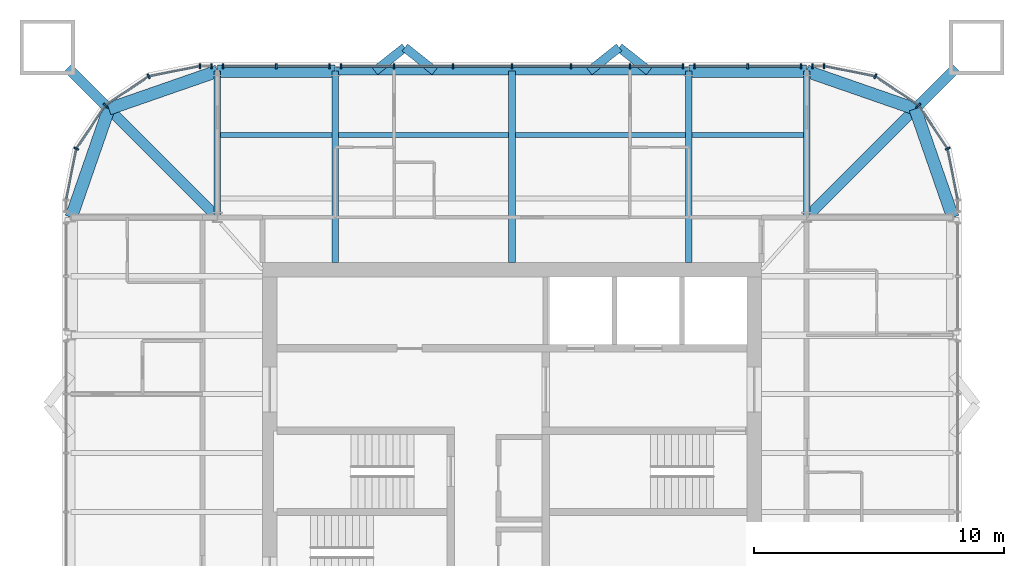
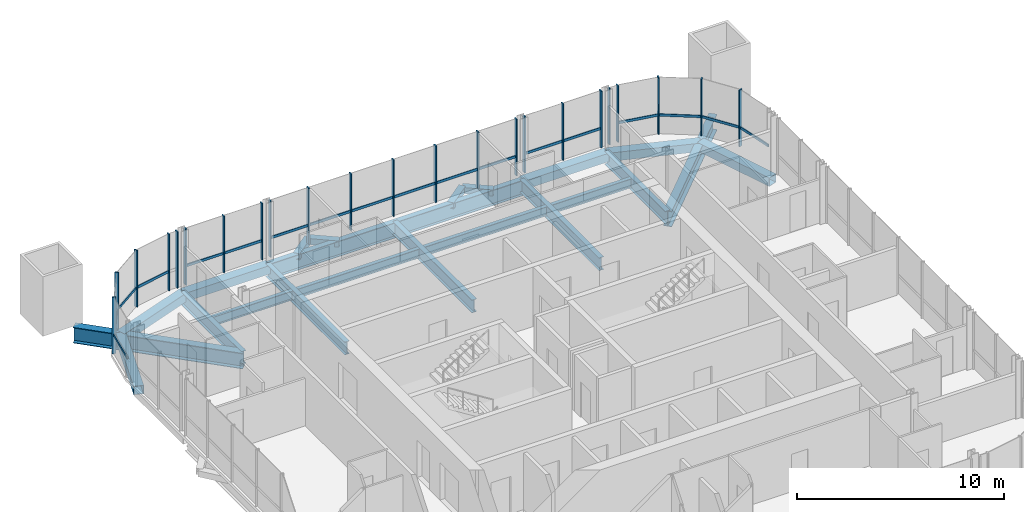
# One storey, part 6 of 17: 41 members, 22 beams, 7 elements without a shape of their own.
"""IFC4 building model written with IfcOpenShell, lengths in metres."""

from ifc_helpers import new_model, si_unit, direction, frame, origin, origin_2d, place, context, subcontext, project, spatial, rectangle, hollow_rectangle, i_section, extrude, material, material_profile, profile_set, type_object, element, aggregate, save


model = new_model("IFC4")

# Units and contexts
model_context = context("Model", 3, precision=1e-05, world=origin(), true_north=direction((0.0, 1.0)))
body_context = subcontext(model_context, "Body", "Model", "MODEL_VIEW")
ifc_project = project(units=[si_unit("LENGTHUNIT", "METRE"), si_unit("AREAUNIT", "SQUARE_METRE"), si_unit("VOLUMEUNIT", "CUBIC_METRE"), si_unit("PLANEANGLEUNIT", "RADIAN"), si_unit("MASSUNIT", "GRAM", prefix="KILO")], contexts=[model_context])

# Site, building, storey
site_placement = place(None, origin())
site = spatial("IfcSite", under=ifc_project, at=site_placement, CompositionType="ELEMENT")
building_placement = place(site_placement, origin())
building = spatial("IfcBuilding", under=site, at=building_placement, Name="Turquesa Mirador Hotel Tower", CompositionType="ELEMENT")
storey_placement = place(building_placement, frame((0.0, 0.0, 244.199951171875)))
storey = spatial("IfcBuildingStorey", under=building, at=storey_placement, Name="L66", CompositionType="ELEMENT", Elevation=244.199951171875)

# Beams
ifc_material_1 = material(Name="Steel ASTM A572 Grade 50", Category="steel")
ifc_material_profile_1 = material_profile(ifc_material_1, hollow_rectangle(XDim=0.5, YDim=0.5, WallThickness=0.01611328125, at=origin_2d()), Name="BOX500X500X16")
ifc_profile_set_1 = profile_set([ifc_material_profile_1], Name="Steel ASTM A572 Grade 50")
beam_type_1 = type_object("IfcBeamType", Name="BEAM BOX500X500X16", PredefinedType="BEAM", material=ifc_profile_set_1)
for number, where, z_axis, x_axis, name in (
    (1, (43.199951171875, 62.64990234375, -0.419921875), (1.0, 0.0, 0.0), (0.0, 1.0, 0.0), "EB-L66-N-L"),
    (2, (62.080078125, 62.64990234375, -0.419921875), (1.0, 0.0, 0.0), (0.0, 1.0, 0.0), "EB-L66-N-R"),
):
    element("IfcBeam", number, at=place(storey_placement, frame(where, z_axis=z_axis, x_axis=x_axis)), inside=storey, type_object=beam_type_1, Name=name, PredefinedType="BEAM", context=body_context, shape_type="SweptSolid", body=[
        extrude(hollow_rectangle(XDim=0.5, YDim=0.5, WallThickness=0.01611328125, at=origin_2d()), origin(), (0.0, 0.0, 1.0), 4.719970703125),
    ])
for number, where, z_axis, x_axis, name in (
    (3, (72.64990234375, 56.800048828125, -0.419921875), (-0.328170356092, 0.944618556552, 0.0), (-0.944618556552, -0.328170356092, 0.0), "KE-L66-1-0"),
    (4, (71.1416015625, 61.1416015625, -0.419921875), (-0.944618556552, 0.328170356092, 0.0), (-0.328170356092, -0.944618556552, 0.0), "KE-L66-1-1"),
    (5, (37.35009765625, 56.800048828125, -0.419921875), (0.328170356092, 0.944618556552, 0.0), (-0.944618556552, 0.328170356092, 0.0), "KE-L66-2-0"),
    (6, (38.8583984375, 61.1416015625, -0.419921875), (0.944618556552, 0.328170356092, 0.0), (-0.328170356092, 0.944618556552, 0.0), "KE-L66-2-1"),
):
    element("IfcBeam", number, at=place(storey_placement, frame(where, z_axis=z_axis, x_axis=x_axis)), inside=storey, type_object=beam_type_1, Name=name, PredefinedType="BEAM", context=body_context, shape_type="SweptSolid", body=[
        extrude(hollow_rectangle(XDim=0.5, YDim=0.5, WallThickness=0.01611328125, at=origin_2d()), origin(), (0.0, 0.0, 1.0), 4.59619140625),
    ])
ifc_material_2 = material(Name="Steel ASTM A992 Grade 50", Category="steel")
ifc_material_profile_2 = material_profile(ifc_material_2, i_section(OverallWidth=0.209228515625, OverallDepth=0.533447265625, WebThickness=0.01025390625, FlangeThickness=0.015625, at=origin_2d()), Name="W21X62")
ifc_profile_set_2 = profile_set([ifc_material_profile_2], Name="Steel ASTM A992 Grade 50")
beam_type_2 = type_object("IfcBeamType", Name="BEAM W21X62", PredefinedType="BEAM", material=ifc_profile_set_2)
beam_1_placement = place(storey_placement, frame((43.333251953125, 60.10009765625, -0.436767578125), z_axis=(1.0, 0.0, 0.0), x_axis=(0.0, 1.0, 0.0)))
element("IfcBeam", 7, at=beam_1_placement, inside=storey, type_object=beam_type_2, Name="IB-L66-N-2-0", PredefinedType="BEAM", context=body_context, shape_type="SweptSolid", body=[
    extrude(i_section(OverallWidth=0.209228515625, OverallDepth=0.533447265625, WebThickness=0.01025390625, FlangeThickness=0.015625, at=origin_2d()), origin(), (0.0, 0.0, 1.0), 4.453369140625),
])
for number, where, z_axis, x_axis, name in (
    (8, (48.053466796875, 60.10009765625, -0.436767578125), (1.0, 0.0, 0.0), (0.0, 1.0, 0.0), "IB-L66-N-2-1"),
    (9, (55.13330078125, 60.10009765625, -0.436767578125), (1.0, 0.0, 0.0), (0.0, 1.0, 0.0), "IB-L66-N-2-2"),
):
    element("IfcBeam", number, at=place(storey_placement, frame(where, z_axis=z_axis, x_axis=x_axis)), inside=storey, type_object=beam_type_2, Name=name, PredefinedType="BEAM", context=body_context, shape_type="SweptSolid", body=[
        extrude(i_section(OverallWidth=0.209228515625, OverallDepth=0.533447265625, WebThickness=0.01025390625, FlangeThickness=0.015625, at=origin_2d()), origin(), (0.0, 0.0, 1.0), 6.813232421875),
    ])
beam_2_placement = place(storey_placement, frame((62.21337890625, 60.10009765625, -0.436767578125), z_axis=(1.0, 0.0, 0.0), x_axis=(0.0, 1.0, 0.0)))
element("IfcBeam", 10, at=beam_2_placement, inside=storey, type_object=beam_type_2, Name="IB-L66-N-2-3", PredefinedType="BEAM", context=body_context, shape_type="SweptSolid", body=[
    extrude(i_section(OverallWidth=0.209228515625, OverallDepth=0.533447265625, WebThickness=0.01025390625, FlangeThickness=0.015625, at=origin_2d()), origin(), (0.0, 0.0, 1.0), 4.453369140625),
])
ifc_material_3 = material(Name="Steel ASTM A992 Grade 50", Category="steel")
ifc_material_profile_3 = material_profile(ifc_material_3, i_section(OverallWidth=0.2666015625, OverallDepth=0.7568359375, WebThickness=0.013916015625, FlangeThickness=0.019287109375, at=origin_2d()), Name="W30X108")
ifc_profile_set_3 = profile_set([ifc_material_profile_3], Name="Steel ASTM A992 Grade 50")
beam_type_3 = type_object("IfcBeamType", Name="BEAM W30X108", PredefinedType="BEAM", material=ifc_profile_set_3)
for number, where, z_axis, x_axis, name in (
    (11, (47.919921875, 62.64990234375, -0.54833984375), (0.0, -1.0, 0.0), (1.0, 0.0, 0.0), "GD-L66-N--7.08"),
    (12, (62.080078125, 62.64990234375, -0.54833984375), (0.0, -1.0, 0.0), (1.0, 0.0, 0.0), "GD-L66-N-+7.08"),
    (13, (55.0, 62.64990234375, -0.54833984375), (0.0, -1.0, 0.0), (1.0, 0.0, 0.0), "GD-L66-N-+0.00"),
):
    element("IfcBeam", number, at=place(storey_placement, frame(where, z_axis=z_axis, x_axis=x_axis)), inside=storey, type_object=beam_type_3, Name=name, PredefinedType="BEAM", context=body_context, shape_type="SweptSolid", body=[
        extrude(i_section(OverallWidth=0.2666015625, OverallDepth=0.7568359375, WebThickness=0.013916015625, FlangeThickness=0.019287109375, at=origin_2d()), origin(), (0.0, 0.0, 1.0), 7.64990234375),
    ])
for number, where, z_axis, x_axis, name in (
    (14, (43.199951171875, 62.64990234375, -0.54833984375), (0.0, -1.0, 0.0), (1.0, 0.0, 0.0), "GK-L66-N--11.80"),
    (15, (66.800048828125, 62.64990234375, -0.54833984375), (0.0, -1.0, 0.0), (1.0, 0.0, 0.0), "GK-L66-N-+11.80"),
):
    element("IfcBeam", number, at=place(storey_placement, frame(where, z_axis=z_axis, x_axis=x_axis)), inside=storey, type_object=beam_type_3, Name=name, PredefinedType="BEAM", context=body_context, shape_type="SweptSolid", body=[
        extrude(i_section(OverallWidth=0.2666015625, OverallDepth=0.7568359375, WebThickness=0.013916015625, FlangeThickness=0.019287109375, at=origin_2d()), origin(), (0.0, 0.0, 1.0), 5.849853515625),
    ])
ifc_material_4 = material(Name="Steel ASTM A992 Grade 50", Category="steel")
ifc_material_profile_4 = material_profile(ifc_material_4, i_section(OverallWidth=0.3046875, OverallDepth=0.911865234375, WebThickness=0.015869140625, FlangeThickness=0.02392578125, at=origin_2d()), Name="W36X150")
ifc_profile_set_4 = profile_set([ifc_material_profile_4], Name="Steel ASTM A992 Grade 50")
beam_type_4 = type_object("IfcBeamType", Name="BEAM W36X150", PredefinedType="BEAM", material=ifc_profile_set_4)
beam_3_placement = place(storey_placement, frame((47.919921875, 62.64990234375, -0.6259765625), z_axis=(1.0, 0.0, 0.0), x_axis=(0.0, 1.0, 0.0)))
element("IfcBeam", 16, at=beam_3_placement, inside=storey, type_object=beam_type_4, Name="EB-L66-N-C", PredefinedType="BEAM", context=body_context, shape_type="SweptSolid", body=[
    extrude(i_section(OverallWidth=0.3046875, OverallDepth=0.911865234375, WebThickness=0.015869140625, FlangeThickness=0.02392578125, at=origin_2d()), origin(), (0.0, 0.0, 1.0), 14.16015625),
])
ifc_material_5 = material(Name="Steel ASTM A992 Grade 50", Category="steel")
ifc_material_profile_5 = material_profile(ifc_material_5, i_section(OverallWidth=0.419189453125, OverallDepth=0.927001953125, WebThickness=0.019287109375, FlangeThickness=0.031982421875, at=origin_2d()), Name="W36X231")
ifc_profile_set_5 = profile_set([ifc_material_profile_5], Name="Steel ASTM A992 Grade 50")
beam_type_5 = type_object("IfcBeamType", Name="BEAM W36X231", PredefinedType="BEAM", material=ifc_profile_set_5)
for number, where, z_axis, x_axis, name in (
    (17, (66.800048828125, 56.800048828125, -0.633544921875), (0.707106781187, 0.707106781187, 0.0), (-0.707106781187, 0.707106781187, 0.0), "KD-L66-1"),
    (18, (43.199951171875, 56.800048828125, -0.633544921875), (-0.707106781187, 0.707106781187, 0.0), (-0.707106781187, -0.707106781187, 0.0), "KD-L66-2"),
):
    element("IfcBeam", number, at=place(storey_placement, frame(where, z_axis=z_axis, x_axis=x_axis)), inside=storey, type_object=beam_type_5, Name=name, PredefinedType="BEAM", context=body_context, shape_type="SweptSolid", body=[
        extrude(i_section(OverallWidth=0.419189453125, OverallDepth=0.927001953125, WebThickness=0.019287109375, FlangeThickness=0.031982421875, at=origin_2d()), origin(), (0.0, 0.0, 1.0), 8.46240234375),
    ])
ifc_material_6 = material(Name="Steel ASTM A500 Grade C", Category="steel")
ifc_material_profile_6 = material_profile(ifc_material_6, hollow_rectangle(XDim=0.355712890625, YDim=0.355712890625, WallThickness=0.0146484375, at=origin_2d()), Name="HSS14X14X5/8")
ifc_profile_set_6 = profile_set([ifc_material_profile_6], Name="Steel ASTM A500 Grade C")
beam_type_6 = type_object("IfcBeamType", Name="BRACE STRUT HSS14X14X5/8", PredefinedType="BEAM", material=ifc_profile_set_6)
for number, where, z_axis, x_axis, name in (
    (19, (50.707763671875, 63.60009765625, -0.34765625), (-0.783971428146, -0.620796907089, 0.0), (0.620796907089, -0.783971428146, 0.0), "Brace strut"),
    (20, (50.707763671875, 63.60009765625, -0.34765625), (0.783971428146, -0.620796907089, 0.0), (0.620796907089, 0.783971428146, 0.0), "Brace strut"),
    (21, (59.292236328125, 63.60009765625, -0.34765625), (-0.783971428146, -0.620796907089, 0.0), (0.620796907089, -0.783971428146, 0.0), "Brace strut"),
    (22, (59.292236328125, 63.60009765625, -0.34765625), (0.783971428146, -0.620796907089, 0.0), (0.620796907089, 0.783971428146, 0.0), "Brace strut"),
):
    element("IfcBeam", number, at=place(storey_placement, frame(where, z_axis=z_axis, x_axis=x_axis)), inside=storey, type_object=beam_type_6, Name=name, PredefinedType="BEAM", context=body_context, shape_type="SweptSolid", body=[
        extrude(hollow_rectangle(XDim=0.355712890625, YDim=0.355712890625, WallThickness=0.0146484375, at=origin_2d()), origin(), (0.0, 0.0, 1.0), 1.530517578125),
    ])

# Curtain wall, members
ifc_material_7 = material(Name="Aluminium extrusion", Category="aluminium")
curtain_wall_type = type_object("IfcCurtainWallType", Name="CW-4 SUITE FRITTED CURTAIN WALL", PredefinedType="USERDEFINED", material=ifc_material_7)
curtain_wall_1_placement = place(storey_placement, origin())
curtain_wall_1 = element("IfcCurtainWall", 23, at=curtain_wall_1_placement, inside=storey, type_object=curtain_wall_type, Name="CW-4 SUITE FRITTED CURTAIN WALL L66", ObjectType="CURTAIN WALL", PredefinedType="USERDEFINED")
ifc_material_8 = material(Name="Aluminium extrusion", Category="aluminium")
ifc_material_profile_7 = material_profile(ifc_material_8, rectangle(XDim=0.06494140625, YDim=0.199951171875, at=origin_2d()), Name="MULLION 65X200")
ifc_profile_set_7 = profile_set([ifc_material_profile_7], Name="Aluminium extrusion")
member_type_1 = type_object("IfcMemberType", Name="CW MULLION 65X200", PredefinedType="MULLION", material=ifc_profile_set_7)
member_1_placement = place(storey_placement, frame((72.44287109375, 59.54736328125, 0.0), z_axis=(0.0, 0.0, 1.0), x_axis=(-0.382683432365, 0.923879532511, 0.0)))
member_1 = element("IfcMember", 24, at=member_1_placement, type_object=member_type_1, Name="Mullion", PredefinedType="MULLION", context=body_context, shape_type="SweptSolid", body=[
    extrude(rectangle(XDim=0.06494140625, YDim=0.199951171875, at=origin_2d()), origin(), (0.0, 0.0, 1.0), 3.330078125),
])
member_2_placement = place(storey_placement, frame((71.282958984375, 61.282958984375, 0.0), z_axis=(0.0, 0.0, 1.0), x_axis=(-0.707106781187, 0.707106781187, 0.0)))
member_2 = element("IfcMember", 25, at=member_2_placement, type_object=member_type_1, Name="Mullion", PredefinedType="MULLION", context=body_context, shape_type="SweptSolid", body=[
    extrude(rectangle(XDim=0.06494140625, YDim=0.199951171875, at=origin_2d()), origin(), (0.0, 0.0, 1.0), 3.330078125),
])
member_3_placement = place(storey_placement, frame((69.54736328125, 62.44287109375, 0.0), z_axis=(0.0, 0.0, 1.0), x_axis=(-0.923879532511, 0.382683432365, 0.0)))
member_3 = element("IfcMember", 26, at=member_3_placement, type_object=member_type_1, Name="Mullion", PredefinedType="MULLION", context=body_context, shape_type="SweptSolid", body=[
    extrude(rectangle(XDim=0.06494140625, YDim=0.199951171875, at=origin_2d()), origin(), (0.0, 0.0, 1.0), 3.330078125),
])

curtain_wall_2_placement = place(storey_placement, origin())
curtain_wall_2 = element("IfcCurtainWall", 27, at=curtain_wall_2_placement, inside=storey, type_object=curtain_wall_type, Name="CW-4 SUITE FRITTED CURTAIN WALL L66", ObjectType="CURTAIN WALL", PredefinedType="USERDEFINED")
member_4_placement = place(storey_placement, frame((67.5, 62.85009765625, 0.0), z_axis=(0.0, 0.0, 1.0), x_axis=(-1.0, 0.0, 0.0)))
member_4 = element("IfcMember", 28, at=member_4_placement, type_object=member_type_1, Name="Mullion", PredefinedType="MULLION", context=body_context, shape_type="SweptSolid", body=[
    extrude(rectangle(XDim=0.06494140625, YDim=0.199951171875, at=origin_2d()), origin(), (0.0, 0.0, 1.0), 3.330078125),
])
member_5_placement = place(storey_placement, frame((67.033935546875, 62.85009765625, 0.0), z_axis=(0.0, 0.0, 1.0), x_axis=(-1.0, 0.0, 0.0)))
member_5 = element("IfcMember", 29, at=member_5_placement, type_object=member_type_1, Name="Mullion", PredefinedType="MULLION", context=body_context, shape_type="SweptSolid", body=[
    extrude(rectangle(XDim=0.06494140625, YDim=0.199951171875, at=origin_2d()), origin(), (0.0, 0.0, 1.0), 3.330078125),
])
aggregate(curtain_wall_2, [member_4, member_5])

curtain_wall_3_placement = place(storey_placement, origin())
curtain_wall_3 = element("IfcCurtainWall", 30, at=curtain_wall_3_placement, inside=storey, type_object=curtain_wall_type, Name="CW-4 SUITE FRITTED CURTAIN WALL L66", ObjectType="CURTAIN WALL", PredefinedType="USERDEFINED")
member_6_placement = place(storey_placement, frame((66.566162109375, 62.85009765625, 0.0), z_axis=(0.0, 0.0, 1.0), x_axis=(-1.0, 0.0, 0.0)))
member_6 = element("IfcMember", 31, at=member_6_placement, type_object=member_type_1, Name="Mullion", PredefinedType="MULLION", context=body_context, shape_type="SweptSolid", body=[
    extrude(rectangle(XDim=0.06494140625, YDim=0.199951171875, at=origin_2d()), origin(), (0.0, 0.0, 1.0), 3.330078125),
])
member_7_placement = place(storey_placement, frame((64.43994140625, 62.85009765625, 0.0), z_axis=(0.0, 0.0, 1.0), x_axis=(-1.0, 0.0, 0.0)))
member_7 = element("IfcMember", 32, at=member_7_placement, type_object=member_type_1, Name="Mullion", PredefinedType="MULLION", context=body_context, shape_type="SweptSolid", body=[
    extrude(rectangle(XDim=0.06494140625, YDim=0.199951171875, at=origin_2d()), origin(), (0.0, 0.0, 1.0), 3.330078125),
])
member_8_placement = place(storey_placement, frame((62.31396484375, 62.85009765625, 0.0), z_axis=(0.0, 0.0, 1.0), x_axis=(-1.0, 0.0, 0.0)))
member_8 = element("IfcMember", 33, at=member_8_placement, type_object=member_type_1, Name="Mullion", PredefinedType="MULLION", context=body_context, shape_type="SweptSolid", body=[
    extrude(rectangle(XDim=0.06494140625, YDim=0.199951171875, at=origin_2d()), origin(), (0.0, 0.0, 1.0), 3.330078125),
])

curtain_wall_4_placement = place(storey_placement, origin())
curtain_wall_4 = element("IfcCurtainWall", 34, at=curtain_wall_4_placement, inside=storey, type_object=curtain_wall_type, Name="CW-4 SUITE FRITTED CURTAIN WALL L66", ObjectType="CURTAIN WALL", PredefinedType="USERDEFINED")
member_9_placement = place(storey_placement, frame((61.84619140625, 62.85009765625, 0.0), z_axis=(0.0, 0.0, 1.0), x_axis=(-1.0, 0.0, 0.0)))
member_9 = element("IfcMember", 35, at=member_9_placement, type_object=member_type_1, Name="Mullion", PredefinedType="MULLION", context=body_context, shape_type="SweptSolid", body=[
    extrude(rectangle(XDim=0.06494140625, YDim=0.199951171875, at=origin_2d()), origin(), (0.0, 0.0, 1.0), 3.330078125),
])
member_10_placement = place(storey_placement, frame((59.719970703125, 62.85009765625, 0.0), z_axis=(0.0, 0.0, 1.0), x_axis=(-1.0, 0.0, 0.0)))
member_10 = element("IfcMember", 36, at=member_10_placement, type_object=member_type_1, Name="Mullion", PredefinedType="MULLION", context=body_context, shape_type="SweptSolid", body=[
    extrude(rectangle(XDim=0.06494140625, YDim=0.199951171875, at=origin_2d()), origin(), (0.0, 0.0, 1.0), 3.330078125),
])
member_11_placement = place(storey_placement, frame((57.360107421875, 62.85009765625, 0.0), z_axis=(0.0, 0.0, 1.0), x_axis=(-1.0, 0.0, 0.0)))
member_11 = element("IfcMember", 37, at=member_11_placement, type_object=member_type_1, Name="Mullion", PredefinedType="MULLION", context=body_context, shape_type="SweptSolid", body=[
    extrude(rectangle(XDim=0.06494140625, YDim=0.199951171875, at=origin_2d()), origin(), (0.0, 0.0, 1.0), 3.330078125),
])
member_12_placement = place(storey_placement, frame((55.0, 62.85009765625, 0.0), z_axis=(0.0, 0.0, 1.0), x_axis=(-1.0, 0.0, 0.0)))
member_12 = element("IfcMember", 38, at=member_12_placement, type_object=member_type_1, Name="Mullion", PredefinedType="MULLION", context=body_context, shape_type="SweptSolid", body=[
    extrude(rectangle(XDim=0.06494140625, YDim=0.199951171875, at=origin_2d()), origin(), (0.0, 0.0, 1.0), 3.330078125),
])
member_13_placement = place(storey_placement, frame((52.639892578125, 62.85009765625, 0.0), z_axis=(0.0, 0.0, 1.0), x_axis=(-1.0, 0.0, 0.0)))
member_13 = element("IfcMember", 39, at=member_13_placement, type_object=member_type_1, Name="Mullion", PredefinedType="MULLION", context=body_context, shape_type="SweptSolid", body=[
    extrude(rectangle(XDim=0.06494140625, YDim=0.199951171875, at=origin_2d()), origin(), (0.0, 0.0, 1.0), 3.330078125),
])
member_14_placement = place(storey_placement, frame((50.280029296875, 62.85009765625, 0.0), z_axis=(0.0, 0.0, 1.0), x_axis=(-1.0, 0.0, 0.0)))
member_14 = element("IfcMember", 40, at=member_14_placement, type_object=member_type_1, Name="Mullion", PredefinedType="MULLION", context=body_context, shape_type="SweptSolid", body=[
    extrude(rectangle(XDim=0.06494140625, YDim=0.199951171875, at=origin_2d()), origin(), (0.0, 0.0, 1.0), 3.330078125),
])
member_15_placement = place(storey_placement, frame((48.15380859375, 62.85009765625, 0.0), z_axis=(0.0, 0.0, 1.0), x_axis=(-1.0, 0.0, 0.0)))
member_15 = element("IfcMember", 41, at=member_15_placement, type_object=member_type_1, Name="Mullion", PredefinedType="MULLION", context=body_context, shape_type="SweptSolid", body=[
    extrude(rectangle(XDim=0.06494140625, YDim=0.199951171875, at=origin_2d()), origin(), (0.0, 0.0, 1.0), 3.330078125),
])

curtain_wall_5_placement = place(storey_placement, origin())
curtain_wall_5 = element("IfcCurtainWall", 42, at=curtain_wall_5_placement, inside=storey, type_object=curtain_wall_type, Name="CW-4 SUITE FRITTED CURTAIN WALL L66", ObjectType="CURTAIN WALL", PredefinedType="USERDEFINED")
member_16_placement = place(storey_placement, frame((47.68603515625, 62.85009765625, 0.0), z_axis=(0.0, 0.0, 1.0), x_axis=(-1.0, 0.0, 0.0)))
member_16 = element("IfcMember", 43, at=member_16_placement, type_object=member_type_1, Name="Mullion", PredefinedType="MULLION", context=body_context, shape_type="SweptSolid", body=[
    extrude(rectangle(XDim=0.06494140625, YDim=0.199951171875, at=origin_2d()), origin(), (0.0, 0.0, 1.0), 3.330078125),
])
member_17_placement = place(storey_placement, frame((45.56005859375, 62.85009765625, 0.0), z_axis=(0.0, 0.0, 1.0), x_axis=(-1.0, 0.0, 0.0)))
member_17 = element("IfcMember", 44, at=member_17_placement, type_object=member_type_1, Name="Mullion", PredefinedType="MULLION", context=body_context, shape_type="SweptSolid", body=[
    extrude(rectangle(XDim=0.06494140625, YDim=0.199951171875, at=origin_2d()), origin(), (0.0, 0.0, 1.0), 3.330078125),
])
member_18_placement = place(storey_placement, frame((43.433837890625, 62.85009765625, 0.0), z_axis=(0.0, 0.0, 1.0), x_axis=(-1.0, 0.0, 0.0)))
member_18 = element("IfcMember", 45, at=member_18_placement, type_object=member_type_1, Name="Mullion", PredefinedType="MULLION", context=body_context, shape_type="SweptSolid", body=[
    extrude(rectangle(XDim=0.06494140625, YDim=0.199951171875, at=origin_2d()), origin(), (0.0, 0.0, 1.0), 3.330078125),
])

curtain_wall_6_placement = place(storey_placement, origin())
curtain_wall_6 = element("IfcCurtainWall", 46, at=curtain_wall_6_placement, inside=storey, type_object=curtain_wall_type, Name="CW-4 SUITE FRITTED CURTAIN WALL L66", ObjectType="CURTAIN WALL", PredefinedType="USERDEFINED")
member_19_placement = place(storey_placement, frame((42.966064453125, 62.85009765625, 0.0), z_axis=(0.0, 0.0, 1.0), x_axis=(-1.0, 0.0, 0.0)))
member_19 = element("IfcMember", 47, at=member_19_placement, type_object=member_type_1, Name="Mullion", PredefinedType="MULLION", context=body_context, shape_type="SweptSolid", body=[
    extrude(rectangle(XDim=0.06494140625, YDim=0.199951171875, at=origin_2d()), origin(), (0.0, 0.0, 1.0), 3.330078125),
])
member_20_placement = place(storey_placement, frame((42.5, 62.85009765625, 0.0), z_axis=(0.0, 0.0, 1.0), x_axis=(-1.0, 0.0, 0.0)))
member_20 = element("IfcMember", 48, at=member_20_placement, type_object=member_type_1, Name="Mullion", PredefinedType="MULLION", context=body_context, shape_type="SweptSolid", body=[
    extrude(rectangle(XDim=0.06494140625, YDim=0.199951171875, at=origin_2d()), origin(), (0.0, 0.0, 1.0), 3.330078125),
])
aggregate(curtain_wall_6, [member_19, member_20])

curtain_wall_7_placement = place(storey_placement, origin())
curtain_wall_7 = element("IfcCurtainWall", 49, at=curtain_wall_7_placement, inside=storey, type_object=curtain_wall_type, Name="CW-4 SUITE FRITTED CURTAIN WALL L66", ObjectType="CURTAIN WALL", PredefinedType="USERDEFINED")
member_21_placement = place(storey_placement, frame((40.45263671875, 62.44287109375, 0.0), z_axis=(0.0, 0.0, 1.0), x_axis=(-0.923879532511, -0.382683432365, 0.0)))
member_21 = element("IfcMember", 50, at=member_21_placement, type_object=member_type_1, Name="Mullion", PredefinedType="MULLION", context=body_context, shape_type="SweptSolid", body=[
    extrude(rectangle(XDim=0.06494140625, YDim=0.199951171875, at=origin_2d()), origin(), (0.0, 0.0, 1.0), 3.330078125),
])
member_22_placement = place(storey_placement, frame((38.717041015625, 61.282958984375, 0.0), z_axis=(0.0, 0.0, 1.0), x_axis=(-0.707106781187, -0.707106781187, 0.0)))
member_22 = element("IfcMember", 51, at=member_22_placement, type_object=member_type_1, Name="Mullion", PredefinedType="MULLION", context=body_context, shape_type="SweptSolid", body=[
    extrude(rectangle(XDim=0.06494140625, YDim=0.199951171875, at=origin_2d()), origin(), (0.0, 0.0, 1.0), 3.330078125),
])
member_23_placement = place(storey_placement, frame((37.55712890625, 59.54736328125, 0.0), z_axis=(0.0, 0.0, 1.0), x_axis=(-0.382683432365, -0.923879532511, 0.0)))
member_23 = element("IfcMember", 52, at=member_23_placement, type_object=member_type_1, Name="Mullion", PredefinedType="MULLION", context=body_context, shape_type="SweptSolid", body=[
    extrude(rectangle(XDim=0.06494140625, YDim=0.199951171875, at=origin_2d()), origin(), (0.0, 0.0, 1.0), 3.330078125),
])

# Member
ifc_material_9 = material(Name="Aluminium extrusion", Category="aluminium")
ifc_material_profile_8 = material_profile(ifc_material_9, rectangle(XDim=0.06494140625, YDim=0.14990234375, at=origin_2d()), Name="TRANSOM 65X150")
ifc_profile_set_8 = profile_set([ifc_material_profile_8], Name="Aluminium extrusion")
member_type_2 = type_object("IfcMemberType", Name="CW TRANSOM 65X150", PredefinedType="USERDEFINED", material=ifc_profile_set_8)
member_24_placement = place(storey_placement, frame((72.84375, 57.531982421875, 1.10009765625), z_axis=(-0.195210621934, 0.980761343592, 0.0), x_axis=(-0.980761343592, -0.195210621934, 0.0)))
member_24 = element("IfcMember", 53, at=member_24_placement, type_object=member_type_2, Name="Transom", ObjectType="TRANSOM", PredefinedType="USERDEFINED", context=body_context, shape_type="SweptSolid", body=[
    extrude(rectangle(XDim=0.06494140625, YDim=0.14990234375, at=origin_2d()), origin(), (0.0, 0.0, 1.0), 2.022216796875),
])

member_25_placement = place(storey_placement, frame((72.4248046875, 59.574462890625, 1.10009765625), z_axis=(-0.555619095835, 0.831436961136, 0.0), x_axis=(-0.831436961136, -0.555619095835, 0.0)))
member_25 = element("IfcMember", 54, at=member_25_placement, type_object=member_type_2, Name="Transom", ObjectType="TRANSOM", PredefinedType="USERDEFINED", context=body_context, shape_type="SweptSolid", body=[
    extrude(rectangle(XDim=0.06494140625, YDim=0.14990234375, at=origin_2d()), origin(), (0.0, 0.0, 1.0), 2.0224609375),
])

member_26_placement = place(storey_placement, frame((71.256103515625, 61.301025390625, 1.10009765625), z_axis=(-0.831436961136, 0.555619095835, 0.0), x_axis=(-0.555619095835, -0.831436961136, 0.0)))
member_26 = element("IfcMember", 55, at=member_26_placement, type_object=member_type_2, Name="Transom", ObjectType="TRANSOM", PredefinedType="USERDEFINED", context=body_context, shape_type="SweptSolid", body=[
    extrude(rectangle(XDim=0.06494140625, YDim=0.14990234375, at=origin_2d()), origin(), (0.0, 0.0, 1.0), 2.0224609375),
])

member_27_placement = place(storey_placement, frame((69.515380859375, 62.448974609375, 1.10009765625), z_axis=(-0.980761343592, 0.195210621934, 0.0), x_axis=(-0.195210621934, -0.980761343592, 0.0)))
member_27 = element("IfcMember", 56, at=member_27_placement, type_object=member_type_2, Name="Transom", ObjectType="TRANSOM", PredefinedType="USERDEFINED", context=body_context, shape_type="SweptSolid", body=[
    extrude(rectangle(XDim=0.06494140625, YDim=0.14990234375, at=origin_2d()), origin(), (0.0, 0.0, 1.0), 2.022216796875),
])

aggregate(curtain_wall_1, [member_1, member_2, member_3, member_24, member_25, member_26, member_27])

member_28_placement = place(storey_placement, frame((66.53369140625, 62.85009765625, 1.10009765625), z_axis=(-1.0, 0.0, 0.0), x_axis=(0.0, -1.0, 0.0)))
member_28 = element("IfcMember", 57, at=member_28_placement, type_object=member_type_2, Name="Transom", ObjectType="TRANSOM", PredefinedType="USERDEFINED", context=body_context, shape_type="SweptSolid", body=[
    extrude(rectangle(XDim=0.06494140625, YDim=0.14990234375, at=origin_2d()), origin(), (0.0, 0.0, 1.0), 2.061279296875),
])

member_29_placement = place(storey_placement, frame((64.407470703125, 62.85009765625, 1.10009765625), z_axis=(-1.0, 0.0, 0.0), x_axis=(0.0, -1.0, 0.0)))
member_29 = element("IfcMember", 58, at=member_29_placement, type_object=member_type_2, Name="Transom", ObjectType="TRANSOM", PredefinedType="USERDEFINED", context=body_context, shape_type="SweptSolid", body=[
    extrude(rectangle(XDim=0.06494140625, YDim=0.14990234375, at=origin_2d()), origin(), (0.0, 0.0, 1.0), 2.06103515625),
])

aggregate(curtain_wall_3, [member_6, member_7, member_8, member_28, member_29])

member_30_placement = place(storey_placement, frame((61.813720703125, 62.85009765625, 1.10009765625), z_axis=(-1.0, 0.0, 0.0), x_axis=(0.0, -1.0, 0.0)))
member_30 = element("IfcMember", 59, at=member_30_placement, type_object=member_type_2, Name="Transom", ObjectType="TRANSOM", PredefinedType="USERDEFINED", context=body_context, shape_type="SweptSolid", body=[
    extrude(rectangle(XDim=0.06494140625, YDim=0.14990234375, at=origin_2d()), origin(), (0.0, 0.0, 1.0), 2.061279296875),
])

member_31_placement = place(storey_placement, frame((59.6875, 62.85009765625, 1.10009765625), z_axis=(-1.0, 0.0, 0.0), x_axis=(0.0, -1.0, 0.0)))
member_31 = element("IfcMember", 60, at=member_31_placement, type_object=member_type_2, Name="Transom", ObjectType="TRANSOM", PredefinedType="USERDEFINED", context=body_context, shape_type="SweptSolid", body=[
    extrude(rectangle(XDim=0.06494140625, YDim=0.14990234375, at=origin_2d()), origin(), (0.0, 0.0, 1.0), 2.294921875),
])

member_32_placement = place(storey_placement, frame((57.327392578125, 62.85009765625, 1.10009765625), z_axis=(-1.0, 0.0, 0.0), x_axis=(0.0, -1.0, 0.0)))
member_32 = element("IfcMember", 61, at=member_32_placement, type_object=member_type_2, Name="Transom", ObjectType="TRANSOM", PredefinedType="USERDEFINED", context=body_context, shape_type="SweptSolid", body=[
    extrude(rectangle(XDim=0.06494140625, YDim=0.14990234375, at=origin_2d()), origin(), (0.0, 0.0, 1.0), 2.294921875),
])

member_33_placement = place(storey_placement, frame((54.967529296875, 62.85009765625, 1.10009765625), z_axis=(-1.0, 0.0, 0.0), x_axis=(0.0, -1.0, 0.0)))
member_33 = element("IfcMember", 62, at=member_33_placement, type_object=member_type_2, Name="Transom", ObjectType="TRANSOM", PredefinedType="USERDEFINED", context=body_context, shape_type="SweptSolid", body=[
    extrude(rectangle(XDim=0.06494140625, YDim=0.14990234375, at=origin_2d()), origin(), (0.0, 0.0, 1.0), 2.294921875),
])

member_34_placement = place(storey_placement, frame((52.607421875, 62.85009765625, 1.10009765625), z_axis=(-1.0, 0.0, 0.0), x_axis=(0.0, -1.0, 0.0)))
member_34 = element("IfcMember", 63, at=member_34_placement, type_object=member_type_2, Name="Transom", ObjectType="TRANSOM", PredefinedType="USERDEFINED", context=body_context, shape_type="SweptSolid", body=[
    extrude(rectangle(XDim=0.06494140625, YDim=0.14990234375, at=origin_2d()), origin(), (0.0, 0.0, 1.0), 2.294921875),
])

member_35_placement = place(storey_placement, frame((50.24755859375, 62.85009765625, 1.10009765625), z_axis=(-1.0, 0.0, 0.0), x_axis=(0.0, -1.0, 0.0)))
member_35 = element("IfcMember", 64, at=member_35_placement, type_object=member_type_2, Name="Transom", ObjectType="TRANSOM", PredefinedType="USERDEFINED", context=body_context, shape_type="SweptSolid", body=[
    extrude(rectangle(XDim=0.06494140625, YDim=0.14990234375, at=origin_2d()), origin(), (0.0, 0.0, 1.0), 2.061279296875),
])

aggregate(curtain_wall_4, [member_9, member_10, member_11, member_12, member_13, member_14, member_15, member_30, member_31, member_32, member_33, member_34, member_35])

member_36_placement = place(storey_placement, frame((47.653564453125, 62.85009765625, 1.10009765625), z_axis=(-1.0, 0.0, 0.0), x_axis=(0.0, -1.0, 0.0)))
member_36 = element("IfcMember", 65, at=member_36_placement, type_object=member_type_2, Name="Transom", ObjectType="TRANSOM", PredefinedType="USERDEFINED", context=body_context, shape_type="SweptSolid", body=[
    extrude(rectangle(XDim=0.06494140625, YDim=0.14990234375, at=origin_2d()), origin(), (0.0, 0.0, 1.0), 2.06103515625),
])

member_37_placement = place(storey_placement, frame((45.527587890625, 62.85009765625, 1.10009765625), z_axis=(-1.0, 0.0, 0.0), x_axis=(0.0, -1.0, 0.0)))
member_37 = element("IfcMember", 66, at=member_37_placement, type_object=member_type_2, Name="Transom", ObjectType="TRANSOM", PredefinedType="USERDEFINED", context=body_context, shape_type="SweptSolid", body=[
    extrude(rectangle(XDim=0.06494140625, YDim=0.14990234375, at=origin_2d()), origin(), (0.0, 0.0, 1.0), 2.061279296875),
])

aggregate(curtain_wall_5, [member_16, member_17, member_18, member_36, member_37])

member_38_placement = place(storey_placement, frame((42.468017578125, 62.84375, 1.10009765625), z_axis=(-0.980761343592, -0.195210621934, 0.0), x_axis=(0.195210621934, -0.980761343592, 0.0)))
member_38 = element("IfcMember", 67, at=member_38_placement, type_object=member_type_2, Name="Transom", ObjectType="TRANSOM", PredefinedType="USERDEFINED", context=body_context, shape_type="SweptSolid", body=[
    extrude(rectangle(XDim=0.06494140625, YDim=0.14990234375, at=origin_2d()), origin(), (0.0, 0.0, 1.0), 2.022216796875),
])

member_39_placement = place(storey_placement, frame((40.425537109375, 62.4248046875, 1.10009765625), z_axis=(-0.831436961136, -0.555619095835, 0.0), x_axis=(0.555619095835, -0.831436961136, 0.0)))
member_39 = element("IfcMember", 68, at=member_39_placement, type_object=member_type_2, Name="Transom", ObjectType="TRANSOM", PredefinedType="USERDEFINED", context=body_context, shape_type="SweptSolid", body=[
    extrude(rectangle(XDim=0.06494140625, YDim=0.14990234375, at=origin_2d()), origin(), (0.0, 0.0, 1.0), 2.0224609375),
])

member_40_placement = place(storey_placement, frame((38.698974609375, 61.256103515625, 1.10009765625), z_axis=(-0.555619095835, -0.831436961136, 0.0), x_axis=(0.831436961136, -0.555619095835, 0.0)))
member_40 = element("IfcMember", 69, at=member_40_placement, type_object=member_type_2, Name="Transom", ObjectType="TRANSOM", PredefinedType="USERDEFINED", context=body_context, shape_type="SweptSolid", body=[
    extrude(rectangle(XDim=0.06494140625, YDim=0.14990234375, at=origin_2d()), origin(), (0.0, 0.0, 1.0), 2.0224609375),
])

member_41_placement = place(storey_placement, frame((37.551025390625, 59.515380859375, 1.10009765625), z_axis=(-0.195210621934, -0.980761343592, 0.0), x_axis=(0.980761343592, -0.195210621934, 0.0)))
member_41 = element("IfcMember", 70, at=member_41_placement, type_object=member_type_2, Name="Transom", ObjectType="TRANSOM", PredefinedType="USERDEFINED", context=body_context, shape_type="SweptSolid", body=[
    extrude(rectangle(XDim=0.06494140625, YDim=0.14990234375, at=origin_2d()), origin(), (0.0, 0.0, 1.0), 2.022216796875),
])

aggregate(curtain_wall_7, [member_21, member_22, member_23, member_38, member_39, member_40, member_41])

save(model, "model.ifc")
